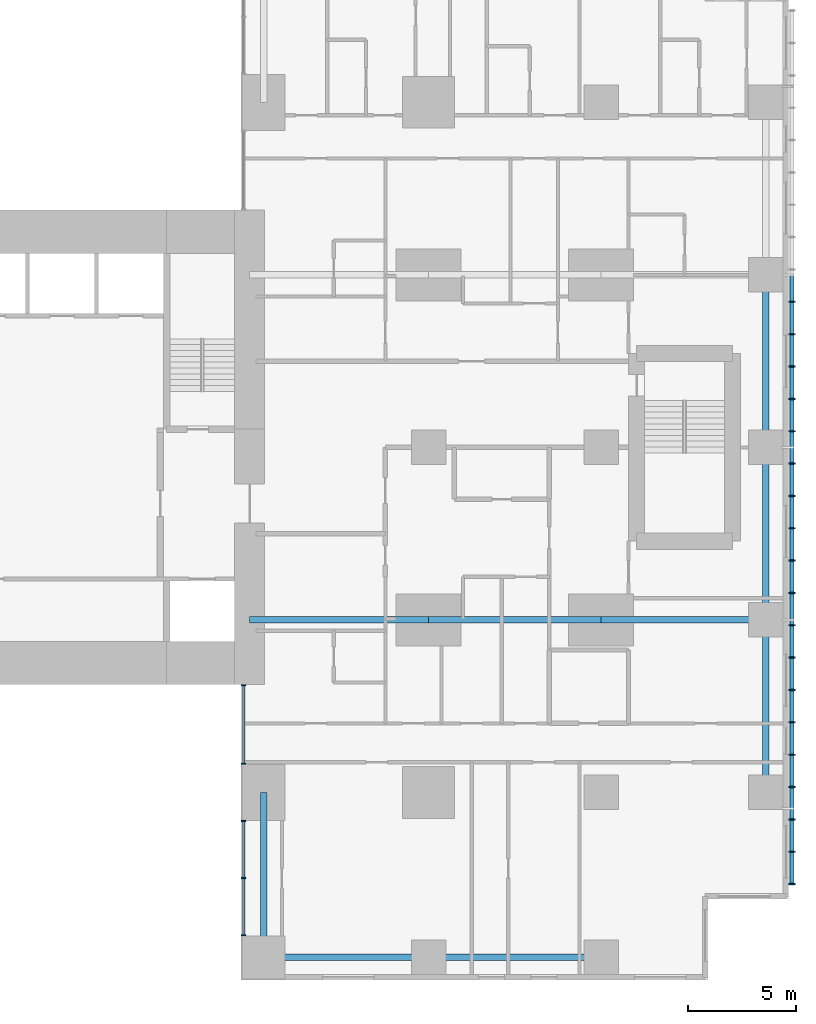
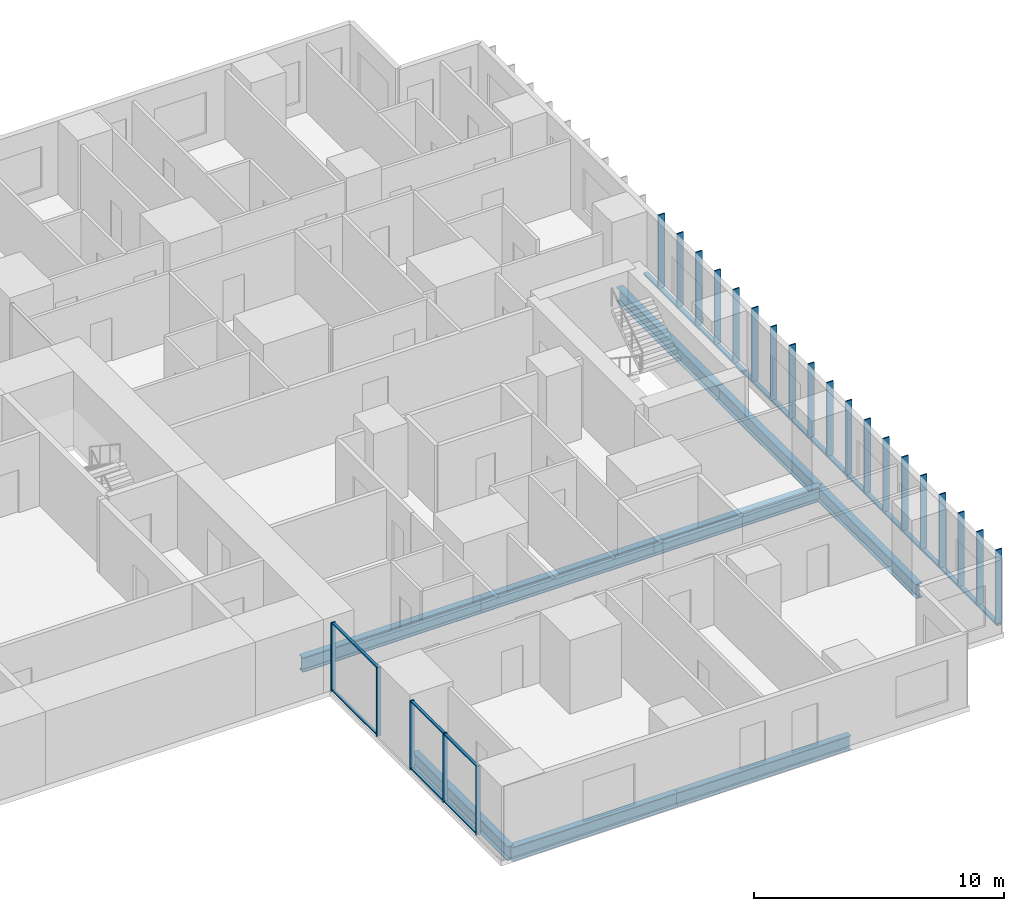
# One storey, part 2 of 12: 33 members, 9 beams, 2 elements without a shape of their own.
"""IFC4 building model written with IfcOpenShell, lengths in metres."""

from ifc_helpers import new_model, si_unit, direction, frame, origin, origin_2d, place, context, subcontext, project, spatial, rectangle, hollow_rectangle, i_section, extrude, material, layer, layer_set, material_profile, profile_set, type_object, element, aggregate, save


model = new_model("IFC4")

# Units and contexts
model_context = context("Model", 3, precision=1e-05, world=origin(), true_north=direction((0.0, 1.0)))
body_context = subcontext(model_context, "Body", "Model", "MODEL_VIEW")
ifc_project = project(units=[si_unit("LENGTHUNIT", "METRE"), si_unit("AREAUNIT", "SQUARE_METRE"), si_unit("VOLUMEUNIT", "CUBIC_METRE"), si_unit("PLANEANGLEUNIT", "RADIAN"), si_unit("MASSUNIT", "GRAM", prefix="KILO")], contexts=[model_context])

# Site, building, storey
site_placement = place(None, origin())
site = spatial("IfcSite", under=ifc_project, at=site_placement, CompositionType="ELEMENT")
building_placement = place(site_placement, origin())
building = spatial("IfcBuilding", under=site, at=building_placement, Name="Cleftline Residences", CompositionType="ELEMENT")
storey_placement = place(building_placement, frame((0.0, 0.0, 255.60009765625)))
storey = spatial("IfcBuildingStorey", under=building, at=storey_placement, Name="L67", CompositionType="ELEMENT", Elevation=255.60009765625)

# Members
ifc_material_1 = material(Name="Steel S355, hot-dip galvanised", Category="steel")
ifc_material_profile_1 = material_profile(ifc_material_1, hollow_rectangle(XDim=0.10009765625, YDim=0.199951171875, WallThickness=0.008056640625, InnerFilletRadius=0.008056640625, OuterFilletRadius=0.011962890625, at=origin_2d()))
ifc_profile_set_1 = profile_set([ifc_material_profile_1], Name="Steel S355, hot-dip galvanised")
member_type_1 = type_object("IfcMemberType", Name="BAGUETTE CARRIER RHS 200X100X8", PredefinedType="USERDEFINED", material=ifc_profile_set_1)
member_1_placement = place(storey_placement, frame((66.85009765625, 3.699951171875, -0.050048828125), z_axis=(0.0, 1.0, 0.0), x_axis=(0.0, 0.0, 1.0)))
element("IfcMember", 1, at=member_1_placement, inside=storey, type_object=member_type_1, Name="Baguette carrier", ObjectType="BAGUETTE CARRIER", PredefinedType="USERDEFINED", context=body_context, shape_type="SweptSolid", body=[
    extrude(hollow_rectangle(XDim=0.10009765625, YDim=0.199951171875, WallThickness=0.008056640625, InnerFilletRadius=0.008056640625, OuterFilletRadius=0.011962890625, at=origin_2d()), origin(), (0.0, 0.0, 1.0), 12.300048828125),
])
for number, where, z_axis, x_axis, name in (
    (2, (66.85009765625, 16.0, -0.050048828125), (0.0, 1.0, 0.0), (0.0, 0.0, 1.0), "Baguette carrier"),
    (3, (66.85009765625, 24.0, -0.050048828125), (0.0, 1.0, 0.0), (0.0, 0.0, 1.0), "Baguette carrier"),
):
    element("IfcMember", number, at=place(storey_placement, frame(where, z_axis=z_axis, x_axis=x_axis)), inside=storey, type_object=member_type_1, Name=name, ObjectType="BAGUETTE CARRIER", PredefinedType="USERDEFINED", context=body_context, shape_type="SweptSolid", body=[
        extrude(hollow_rectangle(XDim=0.10009765625, YDim=0.199951171875, WallThickness=0.008056640625, InnerFilletRadius=0.008056640625, OuterFilletRadius=0.011962890625, at=origin_2d()), origin(), (0.0, 0.0, 1.0), 8.0),
    ])

# Beams
ifc_material_2 = material(Name="Steel S355", Category="steel")
ifc_material_profile_2 = material_profile(ifc_material_2, i_section(OverallWidth=0.300048828125, OverallDepth=0.699951171875, WebThickness=0.01708984375, FlangeThickness=0.031982421875, FilletRadius=0.027099609375, at=origin_2d()))
ifc_profile_set_2 = profile_set([ifc_material_profile_2], Name="Steel S355")
beam_type_1 = type_object("IfcBeamType", Name="BEAM HEB 700", PredefinedType="BEAM", material=ifc_profile_set_2)
for number, where, z_axis, x_axis, name in (
    (4, (65.64990234375, 8.0, -0.60009765625), (0.0, 1.0, 0.0), (-1.0, 0.0, 0.0), "Edge beam"),
    (5, (65.64990234375, 16.0, -0.60009765625), (0.0, 1.0, 0.0), (-1.0, 0.0, 0.0), "Edge beam"),
    (6, (65.64990234375, 24.0, -0.60009765625), (0.0, 1.0, 0.0), (-1.0, 0.0, 0.0), "Edge beam"),
    (7, (58.0, 0.35009765625, -0.60009765625), (-1.0, 0.0, 0.0), (0.0, -1.0, 0.0), "Edge beam"),
):
    element("IfcBeam", number, at=place(storey_placement, frame(where, z_axis=z_axis, x_axis=x_axis)), inside=storey, type_object=beam_type_1, Name=name, PredefinedType="BEAM", context=body_context, shape_type="SweptSolid", body=[
        extrude(i_section(OverallWidth=0.300048828125, OverallDepth=0.699951171875, WebThickness=0.01708984375, FlangeThickness=0.031982421875, FilletRadius=0.027099609375, at=origin_2d()), origin(), (0.0, 0.0, 1.0), 8.0),
    ])
for number, where, z_axis, x_axis, name in (
    (8, (50.0, 0.35009765625, -0.60009765625), (-1.0, 0.0, 0.0), (0.0, -1.0, 0.0), "Edge beam"),
    (9, (42.35009765625, 0.35009765625, -0.60009765625), (0.0, 1.0, 0.0), (-1.0, 0.0, 0.0), "Edge beam"),
):
    element("IfcBeam", number, at=place(storey_placement, frame(where, z_axis=z_axis, x_axis=x_axis)), inside=storey, type_object=beam_type_1, Name=name, PredefinedType="BEAM", context=body_context, shape_type="SweptSolid", body=[
        extrude(i_section(OverallWidth=0.300048828125, OverallDepth=0.699951171875, WebThickness=0.01708984375, FlangeThickness=0.031982421875, FilletRadius=0.027099609375, at=origin_2d()), origin(), (0.0, 0.0, 1.0), 7.64990234375),
    ])
ifc_material_3 = material(Name="Steel S355", Category="steel")
ifc_material_profile_3 = material_profile(ifc_material_3, i_section(OverallWidth=0.303955078125, OverallDepth=0.716064453125, WebThickness=0.02099609375, FlangeThickness=0.0400390625, FilletRadius=0.027099609375, at=origin_2d()))
ifc_profile_set_3 = profile_set([ifc_material_profile_3], Name="Steel S355")
beam_type_2 = type_object("IfcBeamType", Name="BEAM HEM 700", PredefinedType="BEAM", material=ifc_profile_set_3)
beam_1_placement = place(storey_placement, frame((65.64990234375, 16.0, -0.608154296875), z_axis=(-1.0, 0.0, 0.0), x_axis=(0.0, -1.0, 0.0)))
element("IfcBeam", 10, at=beam_1_placement, inside=storey, type_object=beam_type_2, Name="Band beam", PredefinedType="BEAM", context=body_context, shape_type="SweptSolid", body=[
    extrude(i_section(OverallWidth=0.303955078125, OverallDepth=0.716064453125, WebThickness=0.02099609375, FlangeThickness=0.0400390625, FilletRadius=0.027099609375, at=origin_2d()), origin(), (0.0, 0.0, 1.0), 7.64990234375),
])
beam_2_placement = place(storey_placement, frame((58.0, 16.0, -0.608154296875), z_axis=(-1.0, 0.0, 0.0), x_axis=(0.0, -1.0, 0.0)))
element("IfcBeam", 11, at=beam_2_placement, inside=storey, type_object=beam_type_2, Name="Band beam", PredefinedType="BEAM", context=body_context, shape_type="SweptSolid", body=[
    extrude(i_section(OverallWidth=0.303955078125, OverallDepth=0.716064453125, WebThickness=0.02099609375, FlangeThickness=0.0400390625, FilletRadius=0.027099609375, at=origin_2d()), origin(), (0.0, 0.0, 1.0), 8.0),
])
beam_3_placement = place(storey_placement, frame((50.0, 16.0, -0.608154296875), z_axis=(-1.0, 0.0, 0.0), x_axis=(0.0, -1.0, 0.0)))
element("IfcBeam", 12, at=beam_3_placement, inside=storey, type_object=beam_type_2, Name="Band beam", PredefinedType="BEAM", context=body_context, shape_type="SweptSolid", body=[
    extrude(i_section(OverallWidth=0.303955078125, OverallDepth=0.716064453125, WebThickness=0.02099609375, FlangeThickness=0.0400390625, FilletRadius=0.027099609375, at=origin_2d()), origin(), (0.0, 0.0, 1.0), 8.300048828125),
])

# Curtain wall, members
ifc_material_4 = material(Name="Aluminium framed curtain wall", Category="aluminium")
ifc_layer = layer(ifc_material_4, 0.199951171875)
ifc_layer_set = layer_set([ifc_layer], Name="CW1 CLEFT GLAZING")
curtain_wall_type = type_object("IfcCurtainWallType", Name="CW1 CLEFT GLAZING", PredefinedType="NOTDEFINED", material=ifc_layer_set)
curtain_wall_1_placement = place(storey_placement, origin())
curtain_wall_1 = element("IfcCurtainWall", 13, at=curtain_wall_1_placement, inside=storey, type_object=curtain_wall_type, Name="Curtain wall CW1", PredefinedType="NOTDEFINED")
ifc_material_5 = material(Name="Aluminium mullion", Category="aluminium")
ifc_material_profile_4 = material_profile(ifc_material_5, rectangle(XDim=0.199951171875, YDim=0.06005859375, at=origin_2d()))
ifc_profile_set_4 = profile_set([ifc_material_profile_4], Name="Aluminium mullion")
member_type_2 = type_object("IfcMemberType", Name="CW1 MULLION", PredefinedType="MULLION", material=ifc_profile_set_4)
member_2_placement = place(storey_placement, frame((41.425048828125, 12.969970703125, 0.0), z_axis=(0.0, 0.0, 1.0), x_axis=(1.0, 0.0, 0.0)))
member_2 = element("IfcMember", 14, at=member_2_placement, type_object=member_type_2, Name="CW1 mullion 1", PredefinedType="MULLION", context=body_context, shape_type="SweptSolid", body=[
    extrude(rectangle(XDim=0.199951171875, YDim=0.06005859375, at=origin_2d()), origin(), (0.0, 0.0, 1.0), 3.349853515625),
])
member_3_placement = place(storey_placement, frame((41.425048828125, 9.330078125, 0.0), z_axis=(0.0, 0.0, 1.0), x_axis=(1.0, 0.0, 0.0)))
member_3 = element("IfcMember", 15, at=member_3_placement, type_object=member_type_2, Name="CW1 mullion 2", PredefinedType="MULLION", context=body_context, shape_type="SweptSolid", body=[
    extrude(rectangle(XDim=0.199951171875, YDim=0.06005859375, at=origin_2d()), origin(), (0.0, 0.0, 1.0), 3.349853515625),
])

curtain_wall_2_placement = place(storey_placement, origin())
curtain_wall_2 = element("IfcCurtainWall", 16, at=curtain_wall_2_placement, inside=storey, type_object=curtain_wall_type, Name="Curtain wall CW1", PredefinedType="NOTDEFINED")
member_4_placement = place(storey_placement, frame((41.425048828125, 6.669921875, 0.0), z_axis=(0.0, 0.0, 1.0), x_axis=(1.0, 0.0, 0.0)))
member_4 = element("IfcMember", 17, at=member_4_placement, type_object=member_type_2, Name="CW1 mullion 1", PredefinedType="MULLION", context=body_context, shape_type="SweptSolid", body=[
    extrude(rectangle(XDim=0.199951171875, YDim=0.06005859375, at=origin_2d()), origin(), (0.0, 0.0, 1.0), 3.349853515625),
])
member_5_placement = place(storey_placement, frame((41.425048828125, 4.02490234375, 0.0), z_axis=(0.0, 0.0, 1.0), x_axis=(1.0, 0.0, 0.0)))
member_5 = element("IfcMember", 18, at=member_5_placement, type_object=member_type_2, Name="CW1 mullion 2", PredefinedType="MULLION", context=body_context, shape_type="SweptSolid", body=[
    extrude(rectangle(XDim=0.199951171875, YDim=0.06005859375, at=origin_2d()), origin(), (0.0, 0.0, 1.0), 3.349853515625),
])
member_6_placement = place(storey_placement, frame((41.425048828125, 1.3798828125, 0.0), z_axis=(0.0, 0.0, 1.0), x_axis=(1.0, 0.0, 0.0)))
member_6 = element("IfcMember", 19, at=member_6_placement, type_object=member_type_2, Name="CW1 mullion 3", PredefinedType="MULLION", context=body_context, shape_type="SweptSolid", body=[
    extrude(rectangle(XDim=0.199951171875, YDim=0.06005859375, at=origin_2d()), origin(), (0.0, 0.0, 1.0), 3.349853515625),
])

# Member
ifc_material_6 = material(Name="Aluminium transom", Category="aluminium")
ifc_material_profile_5 = material_profile(ifc_material_6, rectangle(XDim=0.1201171875, YDim=0.06005859375, at=origin_2d()))
ifc_profile_set_5 = profile_set([ifc_material_profile_5], Name="Aluminium transom")
member_type_3 = type_object("IfcMemberType", Name="CW1 TRANSOM", PredefinedType="USERDEFINED", material=ifc_profile_set_5)
member_7_placement = place(storey_placement, frame((41.425048828125, 12.93994140625, 0.02978515625), z_axis=(0.0, -1.0, 0.0), x_axis=(1.0, 0.0, 0.0)))
member_7 = element("IfcMember", 20, at=member_7_placement, type_object=member_type_3, Name="CW1 transom 1.1", ObjectType="TRANSOM", PredefinedType="USERDEFINED", context=body_context, shape_type="SweptSolid", body=[
    extrude(rectangle(XDim=0.1201171875, YDim=0.06005859375, at=origin_2d()), origin(), (0.0, 0.0, 1.0), 3.579833984375),
])

member_8_placement = place(storey_placement, frame((41.425048828125, 12.93994140625, 3.31982421875), z_axis=(0.0, -1.0, 0.0), x_axis=(1.0, 0.0, 0.0)))
member_8 = element("IfcMember", 21, at=member_8_placement, type_object=member_type_3, Name="CW1 transom 1.2", ObjectType="TRANSOM", PredefinedType="USERDEFINED", context=body_context, shape_type="SweptSolid", body=[
    extrude(rectangle(XDim=0.1201171875, YDim=0.06005859375, at=origin_2d()), origin(), (0.0, 0.0, 1.0), 3.579833984375),
])

aggregate(curtain_wall_1, [member_2, member_3, member_7, member_8])

member_9_placement = place(storey_placement, frame((41.425048828125, 6.639892578125, 0.02978515625), z_axis=(0.0, -1.0, 0.0), x_axis=(1.0, 0.0, 0.0)))
member_9 = element("IfcMember", 22, at=member_9_placement, type_object=member_type_3, Name="CW1 transom 1.1", ObjectType="TRANSOM", PredefinedType="USERDEFINED", context=body_context, shape_type="SweptSolid", body=[
    extrude(rectangle(XDim=0.1201171875, YDim=0.06005859375, at=origin_2d()), origin(), (0.0, 0.0, 1.0), 2.5849609375),
])

member_10_placement = place(storey_placement, frame((41.425048828125, 6.639892578125, 3.31982421875), z_axis=(0.0, -1.0, 0.0), x_axis=(1.0, 0.0, 0.0)))
member_10 = element("IfcMember", 23, at=member_10_placement, type_object=member_type_3, Name="CW1 transom 1.2", ObjectType="TRANSOM", PredefinedType="USERDEFINED", context=body_context, shape_type="SweptSolid", body=[
    extrude(rectangle(XDim=0.1201171875, YDim=0.06005859375, at=origin_2d()), origin(), (0.0, 0.0, 1.0), 2.5849609375),
])

member_11_placement = place(storey_placement, frame((41.425048828125, 3.9951171875, 0.02978515625), z_axis=(0.0, -1.0, 0.0), x_axis=(1.0, 0.0, 0.0)))
member_11 = element("IfcMember", 24, at=member_11_placement, type_object=member_type_3, Name="CW1 transom 2.1", ObjectType="TRANSOM", PredefinedType="USERDEFINED", context=body_context, shape_type="SweptSolid", body=[
    extrude(rectangle(XDim=0.1201171875, YDim=0.06005859375, at=origin_2d()), origin(), (0.0, 0.0, 1.0), 2.585205078125),
])

member_12_placement = place(storey_placement, frame((41.425048828125, 3.9951171875, 3.31982421875), z_axis=(0.0, -1.0, 0.0), x_axis=(1.0, 0.0, 0.0)))
member_12 = element("IfcMember", 25, at=member_12_placement, type_object=member_type_3, Name="CW1 transom 2.2", ObjectType="TRANSOM", PredefinedType="USERDEFINED", context=body_context, shape_type="SweptSolid", body=[
    extrude(rectangle(XDim=0.1201171875, YDim=0.06005859375, at=origin_2d()), origin(), (0.0, 0.0, 1.0), 2.585205078125),
])

aggregate(curtain_wall_2, [member_4, member_5, member_6, member_9, member_10, member_11, member_12])

# Members
ifc_material_7 = material(Name="Extruded terracotta", Category="masonry")
ifc_material_profile_6 = material_profile(ifc_material_7, rectangle(XDim=0.06005859375, YDim=0.300048828125, at=origin_2d()))
ifc_profile_set_6 = profile_set([ifc_material_profile_6], Name="Extruded terracotta")
member_type_4 = type_object("IfcMemberType", Name="TERRACOTTA BAGUETTE 60X300", PredefinedType="USERDEFINED", material=ifc_profile_set_6)
for number, where, z_axis, x_axis, name in (
    (26, (66.85009765625, 3.75, 0.0), (0.0, 0.0, 1.0), (0.0, 1.0, 0.0), "Terracotta baguette"),
    (27, (66.85009765625, 5.25, 0.0), (0.0, 0.0, 1.0), (0.0, 1.0, 0.0), "Terracotta baguette"),
    (28, (66.85009765625, 6.75, 0.0), (0.0, 0.0, 1.0), (0.0, 1.0, 0.0), "Terracotta baguette"),
    (29, (66.85009765625, 8.25, 0.0), (0.0, 0.0, 1.0), (0.0, 1.0, 0.0), "Terracotta baguette"),
    (30, (66.85009765625, 9.75, 0.0), (0.0, 0.0, 1.0), (0.0, 1.0, 0.0), "Terracotta baguette"),
    (31, (66.85009765625, 11.25, 0.0), (0.0, 0.0, 1.0), (0.0, 1.0, 0.0), "Terracotta baguette"),
    (32, (66.85009765625, 12.75, 0.0), (0.0, 0.0, 1.0), (0.0, 1.0, 0.0), "Terracotta baguette"),
    (33, (66.85009765625, 14.25, 0.0), (0.0, 0.0, 1.0), (0.0, 1.0, 0.0), "Terracotta baguette"),
    (34, (66.85009765625, 15.75, 0.0), (0.0, 0.0, 1.0), (0.0, 1.0, 0.0), "Terracotta baguette"),
    (35, (66.85009765625, 17.25, 0.0), (0.0, 0.0, 1.0), (0.0, 1.0, 0.0), "Terracotta baguette"),
    (36, (66.85009765625, 18.75, 0.0), (0.0, 0.0, 1.0), (0.0, 1.0, 0.0), "Terracotta baguette"),
    (37, (66.85009765625, 20.25, 0.0), (0.0, 0.0, 1.0), (0.0, 1.0, 0.0), "Terracotta baguette"),
    (38, (66.85009765625, 21.75, 0.0), (0.0, 0.0, 1.0), (0.0, 1.0, 0.0), "Terracotta baguette"),
    (39, (66.85009765625, 23.25, 0.0), (0.0, 0.0, 1.0), (0.0, 1.0, 0.0), "Terracotta baguette"),
    (40, (66.85009765625, 24.75, 0.0), (0.0, 0.0, 1.0), (0.0, 1.0, 0.0), "Terracotta baguette"),
    (41, (66.85009765625, 26.25, 0.0), (0.0, 0.0, 1.0), (0.0, 1.0, 0.0), "Terracotta baguette"),
    (42, (66.85009765625, 27.75, 0.0), (0.0, 0.0, 1.0), (0.0, 1.0, 0.0), "Terracotta baguette"),
    (43, (66.85009765625, 29.25, 0.0), (0.0, 0.0, 1.0), (0.0, 1.0, 0.0), "Terracotta baguette"),
    (44, (66.85009765625, 30.75, 0.0), (0.0, 0.0, 1.0), (0.0, 1.0, 0.0), "Terracotta baguette"),
):
    element("IfcMember", number, at=place(storey_placement, frame(where, z_axis=z_axis, x_axis=x_axis)), inside=storey, type_object=member_type_4, Name=name, ObjectType="BAGUETTE", PredefinedType="USERDEFINED", context=body_context, shape_type="SweptSolid", body=[
        extrude(rectangle(XDim=0.06005859375, YDim=0.300048828125, at=origin_2d()), origin(), (0.0, 0.0, 1.0), 3.599853515625),
    ])

save(model, "model.ifc")
